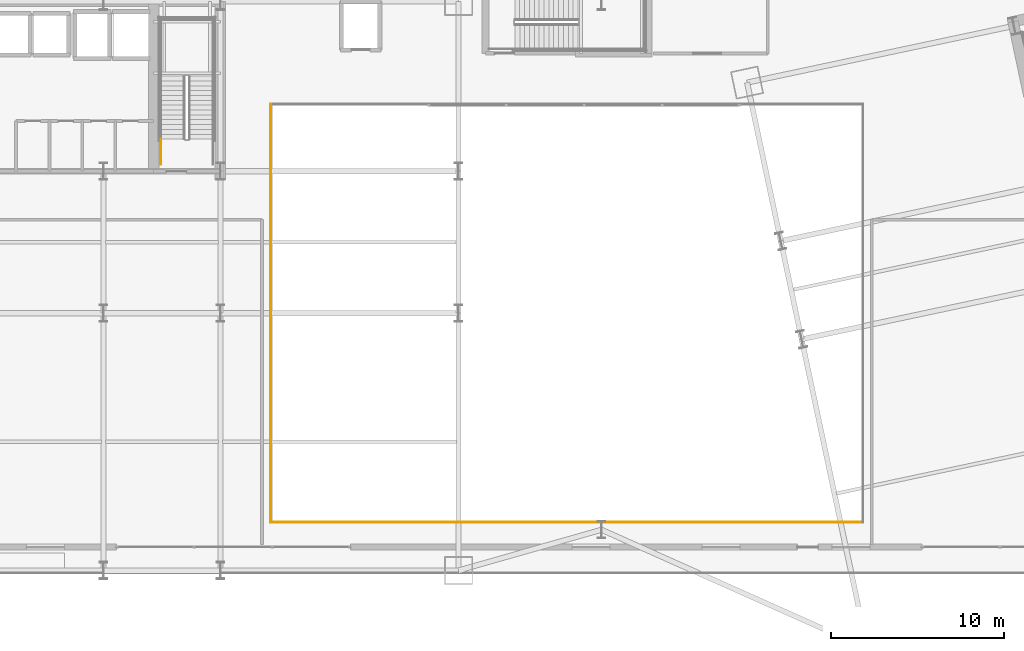
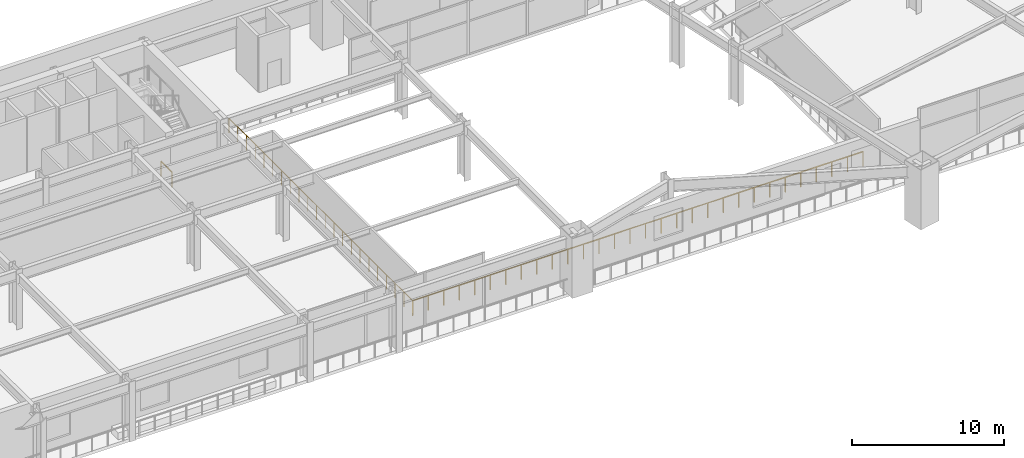
# One storey, part 26 of 35: 3 railings.
"""IFC4 building model written with IfcOpenShell, lengths in metres."""

import ifcopenshell
import ifcopenshell.guid

model = None  # the IFC model being written
_history = None  # IfcOwnerHistory: only IFC2X3 demands one
_inside = {}  # id of a spatial element -> (the spatial element, [elements in it])
_under = {}  # id of a project, library or spatial element -> (it, [spatial elements below it])
_declared = {}  # id of a project -> (the project, [libraries it declares])
_typed = {}  # id of a type object -> (the type object, [elements of that type])
_made_of = {}  # id of a material, layer set ... -> (it, [elements and type objects made of it])


def new_model(schema):
    """Start an empty IFC model of exactly this schema.

    Asked for "IFC4X3", IfcOpenShell would pick the latest addendum, in which some entities
    have other attributes; the version numbers below select the first issue.
    IFC2X3 requires an IfcOwnerHistory on every rooted entity: one is made here for all.
    """
    global model, _history
    if schema == "IFC4X3":
        model = ifcopenshell.file(schema_version=(4, 3, 0, 0))
    else:
        model = ifcopenshell.file(schema=schema)
    _inside.clear()
    _under.clear()
    _declared.clear()
    _typed.clear()
    _made_of.clear()
    _history = None
    if model.schema == "IFC2X3":
        org = make("IfcOrganization", Name="unknown")
        user = make(
            "IfcPersonAndOrganization",
            ThePerson=make("IfcPerson", FamilyName="unknown"),
            TheOrganization=org,
        )
        app = make(
            "IfcApplication",
            ApplicationDeveloper=org,
            Version="unknown",
            ApplicationFullName="unknown",
            ApplicationIdentifier="unknown",
        )
        _history = make(
            "IfcOwnerHistory",
            OwningUser=user,
            OwningApplication=app,
            ChangeAction="ADDED",
            CreationDate=0,
        )
    return model


def make(cls, **values):
    """One entity of the class cls with the attributes given. An attribute that is None is left unset."""
    return model.create_entity(
        cls, **{name: value for name, value in values.items() if value is not None}
    )


def rooted(cls, **values):
    """An entity with a GlobalId (a new one), such as an element, a storey or a relation."""
    return make(cls, GlobalId=ifcopenshell.guid.new(), OwnerHistory=_history, **values)


def si_unit(unit_type, name, prefix=None):
    """IfcSIUnit, for example si_unit("LENGTHUNIT", "METRE", prefix="MILLI")."""
    return make("IfcSIUnit", UnitType=unit_type, Prefix=prefix, Name=name)


def assignment(units):
    """IfcUnitAssignment: the units of a project."""
    return None if units is None else make("IfcUnitAssignment", Units=units)


def point(xyz):
    """IfcCartesianPoint."""
    return None if xyz is None else make("IfcCartesianPoint", Coordinates=xyz)


def direction(xyz):
    """IfcDirection."""
    return None if xyz is None else make("IfcDirection", DirectionRatios=xyz)


def frame(location, z_axis=None, x_axis=None):
    """IfcAxis2Placement3D, a coordinate frame: its origin and axes. An axis left out is left unset."""
    return make(
        "IfcAxis2Placement3D",
        Location=point(location),
        Axis=direction(z_axis),
        RefDirection=direction(x_axis),
    )


def frame_2d(location, x_axis=None):
    """IfcAxis2Placement2D, a coordinate frame in the plane: its origin and x axis."""
    return make(
        "IfcAxis2Placement2D", Location=point(location), RefDirection=direction(x_axis)
    )


def origin():
    """The frame at (0, 0, 0) with its axes left unset."""
    return frame((0.0, 0.0, 0.0))


def origin_2d():
    """The frame at (0, 0) in the plane with its x axis left unset."""
    return frame_2d((0.0, 0.0))


def place(relative_to, where):
    """IfcLocalPlacement: puts the frame where relative to a parent placement (None: the world)."""
    return make(
        "IfcLocalPlacement", PlacementRelTo=relative_to, RelativePlacement=where
    )


def context(
    kind, dimensions, precision=None, world=None, true_north=None, identifier=None
):
    """IfcGeometricRepresentationContext, for example the 3D "Model" context."""
    return make(
        "IfcGeometricRepresentationContext",
        ContextIdentifier=identifier,
        ContextType=kind,
        CoordinateSpaceDimension=dimensions,
        Precision=precision,
        WorldCoordinateSystem=world,
        TrueNorth=true_north,
    )


def subcontext(parent, identifier, kind, view, scale=None):
    """IfcGeometricRepresentationSubContext, for example "Body" below "Model"."""
    return make(
        "IfcGeometricRepresentationSubContext",
        ContextIdentifier=identifier,
        ContextType=kind,
        ParentContext=parent,
        TargetScale=scale,
        TargetView=view,
    )


def project(units=None, contexts=None):
    """IfcProject with its units and contexts."""
    return rooted(
        "IfcProject",
        Name="project",
        RepresentationContexts=contexts,
        UnitsInContext=assignment(units),
    )


def spatial(cls, under=None, at=None, **own):
    """A site, building, storey or space (cls), placed at a placement, below another one or the project."""
    s = rooted(cls, ObjectPlacement=at, **own)
    if under is not None:
        _under.setdefault(under.id(), (under, []))[1].append(s)
    return s


def profile(cls, at=None, kind="AREA", **sizes):
    """A parametric profile (cls). Its sizes go by their IFC names, for example OverallWidth=200.0."""
    return make(cls, ProfileType=kind, Position=at, **sizes)


def rectangle(**sizes):
    """IfcRectangleProfileDef."""
    return profile("IfcRectangleProfileDef", **sizes)


def extrude(swept, where, along, depth):
    """IfcExtrudedAreaSolid: the profile swept, set in the frame where, extruded along a direction by depth."""
    return make(
        "IfcExtrudedAreaSolid",
        SweptArea=swept,
        Position=where,
        ExtrudedDirection=direction(along),
        Depth=depth,
    )


def shape(context_of_items, identifier, shape_type, items):
    """IfcShapeRepresentation: the items that make up one representation, for example the "Body"."""
    return make(
        "IfcShapeRepresentation",
        ContextOfItems=context_of_items,
        RepresentationIdentifier=identifier,
        RepresentationType=shape_type,
        Items=items,
    )


def material(Name=None, Category=None):
    """IfcMaterial."""
    return make("IfcMaterial", Name=Name, Category=Category)


def made_of(thing, what):
    """Note that an element or type object is made of a material, layer set ...; save() writes the relation."""
    if what is not None:
        _made_of.setdefault(what.id(), (what, []))[1].append(thing)
    return thing


def type_object(cls, material=None, **own):
    """A type object (cls), such as IfcWallType, which elements share."""
    return made_of(rooted(cls, **own), material)


def element(
    cls,
    number,
    at=None,
    inside=None,
    cuts=None,
    type_object=None,
    material=None,
    context=None,
    identifier="Body",
    shape_type=None,
    held_by="IfcProductDefinitionShape",
    body=None,
    shapes=None,
    **own,
):
    """One element of the class cls, such as IfcWall. Its Tag is "e" and its number.

    at: its placement. inside: the storey or other place that contains it. cuts: it is an
    opening in that element (IfcRelVoidsElement). A single representation is given by context,
    identifier, shape_type and body (its items); several are given by shapes. held_by: the class
    of the entity that holds the representations. save() writes the other relations.
    """
    e = rooted(cls, Tag="e%d" % number, ObjectPlacement=at, **own)
    if body is not None:
        shapes = [shape(context, identifier, shape_type, body)]
    if shapes is not None:
        e.Representation = make(held_by, Representations=shapes)
    if inside is not None:
        _inside.setdefault(inside.id(), (inside, []))[1].append(e)
    if cuts is not None:
        rooted(
            "IfcRelVoidsElement", RelatingBuildingElement=cuts, RelatedOpeningElement=e
        )
    if type_object is not None:
        _typed.setdefault(type_object.id(), (type_object, []))[1].append(e)
    return made_of(e, material)


def aggregate(whole, parts):
    """IfcRelAggregates: a whole, such as a stair, and the parts it consists of."""
    return rooted("IfcRelAggregates", RelatingObject=whole, RelatedObjects=parts)


def save(model, path):
    """Write the relations noted so far, then the file.

    IfcRelAggregates (storeys below a building ...), IfcRelContainedInSpatialStructure (elements
    in a storey), IfcRelDefinesByType, IfcRelAssociatesMaterial and IfcRelDeclares: one each for
    every whole, place, type object, material and project.
    """
    for whole, parts in _under.values():
        aggregate(whole, parts)
    for where, things in _inside.values():
        rooted(
            "IfcRelContainedInSpatialStructure",
            RelatedElements=things,
            RelatingStructure=where,
        )
    for kind, things in _typed.values():
        rooted("IfcRelDefinesByType", RelatedObjects=things, RelatingType=kind)
    for what, things in _made_of.values():
        rooted("IfcRelAssociatesMaterial", RelatedObjects=things, RelatingMaterial=what)
    for by, libraries in _declared.values():
        rooted("IfcRelDeclares", RelatingContext=by, RelatedDefinitions=libraries)
    model.write(path)


model = new_model("IFC4")

# Units and contexts
model_context = context("Model", 3, precision=1e-05, world=origin(), true_north=direction((0.0, 1.0)))
body_context = subcontext(model_context, "Body", "Model", "MODEL_VIEW")
ifc_project = project(units=[si_unit("LENGTHUNIT", "METRE"), si_unit("AREAUNIT", "SQUARE_METRE"), si_unit("VOLUMEUNIT", "CUBIC_METRE"), si_unit("PLANEANGLEUNIT", "RADIAN"), si_unit("MASSUNIT", "GRAM", prefix="KILO")], contexts=[model_context])

# Site, building, storey
site_placement = place(None, origin())
site = spatial("IfcSite", under=ifc_project, at=site_placement, CompositionType="ELEMENT")
building_placement = place(site_placement, origin())
building = spatial("IfcBuilding", under=site, at=building_placement, Name="Haevon Station Towers", CompositionType="ELEMENT")
storey_placement = place(building_placement, frame((0.0, 0.0, 20.39990234375)))
storey = spatial("IfcBuildingStorey", under=building, at=storey_placement, Name="L04", CompositionType="ELEMENT", Elevation=20.39990234375)

# Railings
ifc_material = material(Name="Steel S355", Category="steel")
railing_type_1 = type_object("IfcRailingType", Name="BAL-ATR1200", PredefinedType="BALUSTRADE", material=ifc_material)
railing_1_placement = place(storey_placement, frame((53.90185546875, 17.930908203125, 0.0)))
element("IfcRailing", 1, at=railing_1_placement, inside=storey, type_object=railing_type_1, Name="L04 Atrium Void Balustrade 1", PredefinedType="BALUSTRADE", context=body_context, shape_type="SweptSolid", body=[
    extrude(rectangle(XDim=0.048095703125, YDim=0.048095703125, at=origin_2d()), frame((0.0, 0.0, 1.17578125), z_axis=(1.0, 0.0, 0.0), x_axis=(0.0, 1.0, 0.0)), (0.0, 0.0, 1.0), 34.1962890625),
    extrude(rectangle(XDim=0.0419921875, YDim=0.0419921875, at=origin_2d()), origin(), (0.0, 0.0, 1.0), 1.15185546875),
    extrude(rectangle(XDim=0.0419921875, YDim=0.0419921875, at=origin_2d()), frame((1.17919921875, 0.0, 0.0)), (0.0, 0.0, 1.0), 1.15185546875),
    extrude(rectangle(XDim=0.0419921875, YDim=0.0419921875, at=origin_2d()), frame((2.3583984375, 0.0, 0.0)), (0.0, 0.0, 1.0), 1.15185546875),
    extrude(rectangle(XDim=0.0419921875, YDim=0.0419921875, at=origin_2d()), frame((3.53759765625, 0.0, 0.0)), (0.0, 0.0, 1.0), 1.15185546875),
    extrude(rectangle(XDim=0.0419921875, YDim=0.0419921875, at=origin_2d()), frame((4.716796875, 0.0, 0.0)), (0.0, 0.0, 1.0), 1.15185546875),
    extrude(rectangle(XDim=0.0419921875, YDim=0.0419921875, at=origin_2d()), frame((5.89599609375, 0.0, 0.0)), (0.0, 0.0, 1.0), 1.15185546875),
    extrude(rectangle(XDim=0.0419921875, YDim=0.0419921875, at=origin_2d()), frame((7.0751953125, 0.0, 0.0)), (0.0, 0.0, 1.0), 1.15185546875),
    extrude(rectangle(XDim=0.0419921875, YDim=0.0419921875, at=origin_2d()), frame((8.25439453125, 0.0, 0.0)), (0.0, 0.0, 1.0), 1.15185546875),
    extrude(rectangle(XDim=0.0419921875, YDim=0.0419921875, at=origin_2d()), frame((9.433349609375, 0.0, 0.0)), (0.0, 0.0, 1.0), 1.15185546875),
    extrude(rectangle(XDim=0.0419921875, YDim=0.0419921875, at=origin_2d()), frame((10.612548828125, 0.0, 0.0)), (0.0, 0.0, 1.0), 1.15185546875),
    extrude(rectangle(XDim=0.0419921875, YDim=0.0419921875, at=origin_2d()), frame((11.791748046875, 0.0, 0.0)), (0.0, 0.0, 1.0), 1.15185546875),
    extrude(rectangle(XDim=0.0419921875, YDim=0.0419921875, at=origin_2d()), frame((12.970947265625, 0.0, 0.0)), (0.0, 0.0, 1.0), 1.15185546875),
    extrude(rectangle(XDim=0.0419921875, YDim=0.0419921875, at=origin_2d()), frame((14.150146484375, 0.0, 0.0)), (0.0, 0.0, 1.0), 1.15185546875),
    extrude(rectangle(XDim=0.0419921875, YDim=0.0419921875, at=origin_2d()), frame((15.329345703125, 0.0, 0.0)), (0.0, 0.0, 1.0), 1.15185546875),
    extrude(rectangle(XDim=0.0419921875, YDim=0.0419921875, at=origin_2d()), frame((16.508544921875, 0.0, 0.0)), (0.0, 0.0, 1.0), 1.15185546875),
    extrude(rectangle(XDim=0.0419921875, YDim=0.0419921875, at=origin_2d()), frame((17.687744140625, 0.0, 0.0)), (0.0, 0.0, 1.0), 1.15185546875),
    extrude(rectangle(XDim=0.0419921875, YDim=0.0419921875, at=origin_2d()), frame((18.866943359375, 0.0, 0.0)), (0.0, 0.0, 1.0), 1.15185546875),
    extrude(rectangle(XDim=0.0419921875, YDim=0.0419921875, at=origin_2d()), frame((20.046142578125, 0.0, 0.0)), (0.0, 0.0, 1.0), 1.15185546875),
    extrude(rectangle(XDim=0.0419921875, YDim=0.0419921875, at=origin_2d()), frame((21.225341796875, 0.0, 0.0)), (0.0, 0.0, 1.0), 1.15185546875),
    extrude(rectangle(XDim=0.0419921875, YDim=0.0419921875, at=origin_2d()), frame((22.404541015625, 0.0, 0.0)), (0.0, 0.0, 1.0), 1.15185546875),
    extrude(rectangle(XDim=0.0419921875, YDim=0.0419921875, at=origin_2d()), frame((23.583740234375, 0.0, 0.0)), (0.0, 0.0, 1.0), 1.15185546875),
    extrude(rectangle(XDim=0.0419921875, YDim=0.0419921875, at=origin_2d()), frame((24.762939453125, 0.0, 0.0)), (0.0, 0.0, 1.0), 1.15185546875),
    extrude(rectangle(XDim=0.0419921875, YDim=0.0419921875, at=origin_2d()), frame((25.94189453125, 0.0, 0.0)), (0.0, 0.0, 1.0), 1.15185546875),
    extrude(rectangle(XDim=0.0419921875, YDim=0.0419921875, at=origin_2d()), frame((27.12109375, 0.0, 0.0)), (0.0, 0.0, 1.0), 1.15185546875),
    extrude(rectangle(XDim=0.0419921875, YDim=0.0419921875, at=origin_2d()), frame((28.30029296875, 0.0, 0.0)), (0.0, 0.0, 1.0), 1.15185546875),
    extrude(rectangle(XDim=0.0419921875, YDim=0.0419921875, at=origin_2d()), frame((29.4794921875, 0.0, 0.0)), (0.0, 0.0, 1.0), 1.15185546875),
    extrude(rectangle(XDim=0.0419921875, YDim=0.0419921875, at=origin_2d()), frame((30.65869140625, 0.0, 0.0)), (0.0, 0.0, 1.0), 1.15185546875),
    extrude(rectangle(XDim=0.0419921875, YDim=0.0419921875, at=origin_2d()), frame((31.837890625, 0.0, 0.0)), (0.0, 0.0, 1.0), 1.15185546875),
    extrude(rectangle(XDim=0.0419921875, YDim=0.0419921875, at=origin_2d()), frame((33.01708984375, 0.0, 0.0)), (0.0, 0.0, 1.0), 1.15185546875),
    extrude(rectangle(XDim=0.0419921875, YDim=0.0419921875, at=origin_2d()), frame((34.1962890625, 0.0, 0.0)), (0.0, 0.0, 1.0), 1.15185546875),
])
railing_2_placement = place(storey_placement, frame((53.90185546875, 42.069091796875, 0.0)))
element("IfcRailing", 2, at=railing_2_placement, inside=storey, type_object=railing_type_1, Name="L04 Atrium Void Balustrade 4", PredefinedType="BALUSTRADE", context=body_context, shape_type="SweptSolid", body=[
    extrude(rectangle(XDim=0.048095703125, YDim=0.048095703125, at=origin_2d()), frame((0.0, 0.0, 1.17578125), z_axis=(0.0, -1.0, 0.0), x_axis=(1.0, 0.0, 0.0)), (0.0, 0.0, 1.0), 24.13818359375),
    extrude(rectangle(XDim=0.0419921875, YDim=0.0419921875, at=origin_2d()), origin(), (0.0, 0.0, 1.0), 1.15185546875),
    extrude(rectangle(XDim=0.0419921875, YDim=0.0419921875, at=origin_2d()), frame((0.0, -1.1494140625, 0.0)), (0.0, 0.0, 1.0), 1.15185546875),
    extrude(rectangle(XDim=0.0419921875, YDim=0.0419921875, at=origin_2d()), frame((0.0, -2.298828125, 0.0)), (0.0, 0.0, 1.0), 1.15185546875),
    extrude(rectangle(XDim=0.0419921875, YDim=0.0419921875, at=origin_2d()), frame((0.0, -3.4482421875, 0.0)), (0.0, 0.0, 1.0), 1.15185546875),
    extrude(rectangle(XDim=0.0419921875, YDim=0.0419921875, at=origin_2d()), frame((0.0, -4.59765625, 0.0)), (0.0, 0.0, 1.0), 1.15185546875),
    extrude(rectangle(XDim=0.0419921875, YDim=0.0419921875, at=origin_2d()), frame((0.0, -5.7470703125, 0.0)), (0.0, 0.0, 1.0), 1.15185546875),
    extrude(rectangle(XDim=0.0419921875, YDim=0.0419921875, at=origin_2d()), frame((0.0, -6.896728515625, 0.0)), (0.0, 0.0, 1.0), 1.15185546875),
    extrude(rectangle(XDim=0.0419921875, YDim=0.0419921875, at=origin_2d()), frame((0.0, -8.046142578125, 0.0)), (0.0, 0.0, 1.0), 1.15185546875),
    extrude(rectangle(XDim=0.0419921875, YDim=0.0419921875, at=origin_2d()), frame((0.0, -9.195556640625, 0.0)), (0.0, 0.0, 1.0), 1.15185546875),
    extrude(rectangle(XDim=0.0419921875, YDim=0.0419921875, at=origin_2d()), frame((0.0, -10.344970703125, 0.0)), (0.0, 0.0, 1.0), 1.15185546875),
    extrude(rectangle(XDim=0.0419921875, YDim=0.0419921875, at=origin_2d()), frame((0.0, -11.494384765625, 0.0)), (0.0, 0.0, 1.0), 1.15185546875),
    extrude(rectangle(XDim=0.0419921875, YDim=0.0419921875, at=origin_2d()), frame((0.0, -12.643798828125, 0.0)), (0.0, 0.0, 1.0), 1.15185546875),
    extrude(rectangle(XDim=0.0419921875, YDim=0.0419921875, at=origin_2d()), frame((0.0, -13.793212890625, 0.0)), (0.0, 0.0, 1.0), 1.15185546875),
    extrude(rectangle(XDim=0.0419921875, YDim=0.0419921875, at=origin_2d()), frame((0.0, -14.942626953125, 0.0)), (0.0, 0.0, 1.0), 1.15185546875),
    extrude(rectangle(XDim=0.0419921875, YDim=0.0419921875, at=origin_2d()), frame((0.0, -16.092041015625, 0.0)), (0.0, 0.0, 1.0), 1.15185546875),
    extrude(rectangle(XDim=0.0419921875, YDim=0.0419921875, at=origin_2d()), frame((0.0, -17.241455078125, 0.0)), (0.0, 0.0, 1.0), 1.15185546875),
    extrude(rectangle(XDim=0.0419921875, YDim=0.0419921875, at=origin_2d()), frame((0.0, -18.39111328125, 0.0)), (0.0, 0.0, 1.0), 1.15185546875),
    extrude(rectangle(XDim=0.0419921875, YDim=0.0419921875, at=origin_2d()), frame((0.0, -19.54052734375, 0.0)), (0.0, 0.0, 1.0), 1.15185546875),
    extrude(rectangle(XDim=0.0419921875, YDim=0.0419921875, at=origin_2d()), frame((0.0, -20.68994140625, 0.0)), (0.0, 0.0, 1.0), 1.15185546875),
    extrude(rectangle(XDim=0.0419921875, YDim=0.0419921875, at=origin_2d()), frame((0.0, -21.83935546875, 0.0)), (0.0, 0.0, 1.0), 1.15185546875),
    extrude(rectangle(XDim=0.0419921875, YDim=0.0419921875, at=origin_2d()), frame((0.0, -22.98876953125, 0.0)), (0.0, 0.0, 1.0), 1.15185546875),
    extrude(rectangle(XDim=0.0419921875, YDim=0.0419921875, at=origin_2d()), frame((0.0, -24.13818359375, 0.0)), (0.0, 0.0, 1.0), 1.15185546875),
])
railing_type_2 = type_object("IfcRailingType", Name="GRD-STR1200", PredefinedType="GUARDRAIL", material=ifc_material)
railing_3_placement = place(storey_placement, frame((47.570068359375, 38.60009765625, 0.0)))
element("IfcRailing", 3, at=railing_3_placement, inside=storey, type_object=railing_type_2, Name="L04 ST2 Stair Guard 9", PredefinedType="GUARDRAIL", context=body_context, shape_type="SweptSolid", body=[
    extrude(rectangle(XDim=0.048095703125, YDim=0.048095703125, at=origin_2d()), frame((0.0, 0.0, 1.17578125), z_axis=(0.0, 1.0, 0.0), x_axis=(-1.0, 0.0, 0.0)), (0.0, 0.0, 1.0), 1.449951171875),
    extrude(rectangle(XDim=0.0419921875, YDim=0.0419921875, at=origin_2d()), origin(), (0.0, 0.0, 1.0), 1.15185546875),
    extrude(rectangle(XDim=0.0419921875, YDim=0.0419921875, at=origin_2d()), frame((0.0, 1.449951171875, 0.0)), (0.0, 0.0, 1.0), 1.15185546875),
])

save(model, "model.ifc")
